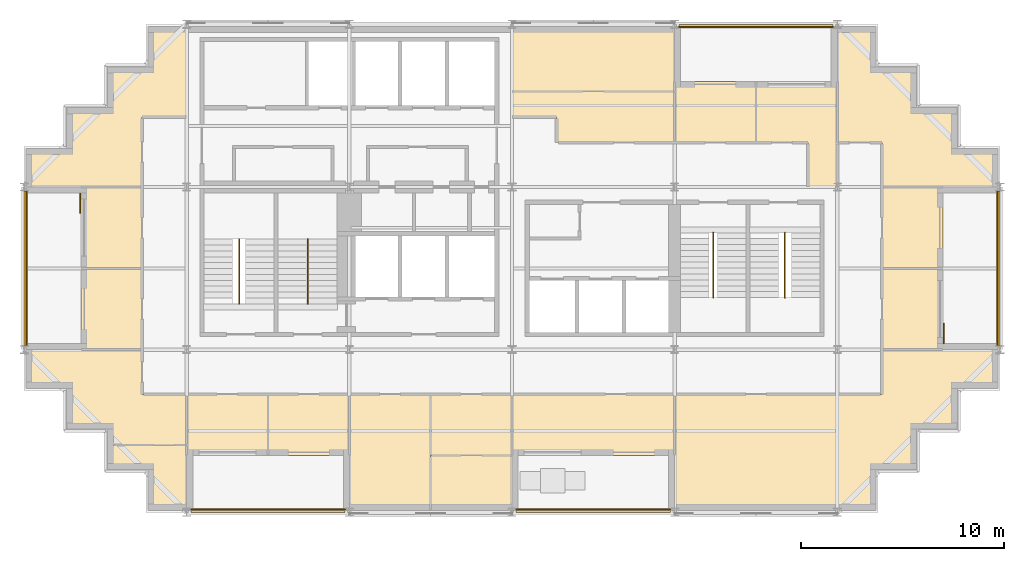
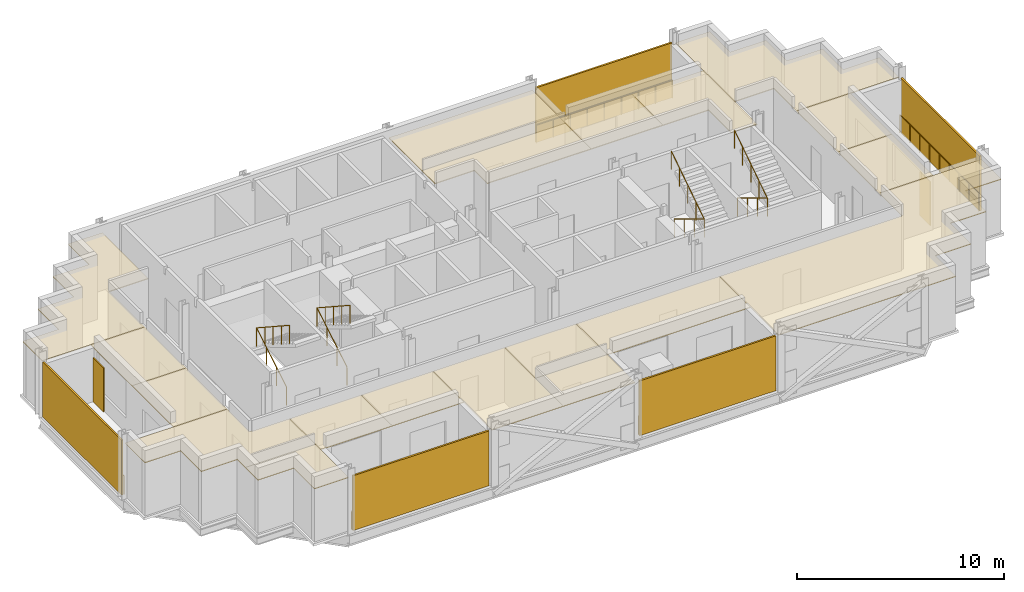
# One storey, part 9 of 10: 19 coverings, 9 railings, 7 shading devices.
"""IFC4 building model written with IfcOpenShell, lengths in metres."""

from ifc_helpers import new_model, si_unit, direction, frame, origin, origin_2d, place, context, subcontext, project, spatial, polyline, rectangle, circle, outline, extrude, material, layer, layer_set, type_object, element, save


model = new_model("IFC4")

# Units and contexts
model_context = context("Model", 3, precision=1e-05, world=origin(), true_north=direction((0.0, 1.0)))
body_context = subcontext(model_context, "Body", "Model", "MODEL_VIEW")
ifc_project = project(units=[si_unit("LENGTHUNIT", "METRE"), si_unit("AREAUNIT", "SQUARE_METRE"), si_unit("VOLUMEUNIT", "CUBIC_METRE"), si_unit("PLANEANGLEUNIT", "RADIAN"), si_unit("MASSUNIT", "GRAM", prefix="KILO")], contexts=[model_context])

# Site, building, storey
site_placement = place(None, origin())
site = spatial("IfcSite", under=ifc_project, at=site_placement, CompositionType="ELEMENT")
building_placement = place(site_placement, origin())
building = spatial("IfcBuilding", under=site, at=building_placement, Name="Immortelle Media Tower", CompositionType="ELEMENT")
storey_placement = place(building_placement, frame((0.0, 0.0, 233.0)))
storey = spatial("IfcBuildingStorey", under=building, at=storey_placement, Name="L50", CompositionType="ELEMENT", Elevation=233.0)

# Railings
ifc_material_1 = material(Name="Powder-coated aluminium fretwork panel, laminated glass backing", Category="aluminium")
railing_type_1 = type_object("IfcRailingType", Name="Fretwork balustrade 1100", PredefinedType="BALUSTRADE", material=ifc_material_1)
railing_1_placement = place(storey_placement, frame((8.199462890625, 0.139892578125, 0.0)))
element("IfcRailing", 1, at=railing_1_placement, inside=storey, type_object=railing_type_1, Name="Fretwork balustrade L50 S0", PredefinedType="BALUSTRADE", context=body_context, shape_type="SweptSolid", body=[
    extrude(circle(Radius=0.02490234375, at=origin_2d()), frame((0.0, 0.0, 1.0751953125), z_axis=(1.0, 0.0, 0.0), x_axis=(0.0, 1.0, 0.0)), (0.0, 0.0, 1.0), 7.59765625),
    extrude(circle(Radius=0.02001953125, at=origin_2d()), origin(), (0.0, 0.0, 1.0), 1.050048828125),
    extrude(circle(Radius=0.02001953125, at=origin_2d()), frame((0.94970703125, 0.0, 0.0)), (0.0, 0.0, 1.0), 1.050048828125),
    extrude(circle(Radius=0.02001953125, at=origin_2d()), frame((1.8994140625, 0.0, 0.0)), (0.0, 0.0, 1.0), 1.050048828125),
    extrude(circle(Radius=0.02001953125, at=origin_2d()), frame((2.84912109375, 0.0, 0.0)), (0.0, 0.0, 1.0), 1.050048828125),
    extrude(circle(Radius=0.02001953125, at=origin_2d()), frame((3.798828125, 0.0, 0.0)), (0.0, 0.0, 1.0), 1.050048828125),
    extrude(circle(Radius=0.02001953125, at=origin_2d()), frame((4.74853515625, 0.0, 0.0)), (0.0, 0.0, 1.0), 1.050048828125),
    extrude(circle(Radius=0.02001953125, at=origin_2d()), frame((5.6982421875, 0.0, 0.0)), (0.0, 0.0, 1.0), 1.050048828125),
    extrude(circle(Radius=0.02001953125, at=origin_2d()), frame((6.64794921875, 0.0, 0.0)), (0.0, 0.0, 1.0), 1.050048828125),
    extrude(circle(Radius=0.02001953125, at=origin_2d()), frame((7.59765625, 0.0, 0.0)), (0.0, 0.0, 1.0), 1.050048828125),
])
railing_2_placement = place(storey_placement, frame((24.202880859375, 0.139892578125, 0.0)))
element("IfcRailing", 2, at=railing_2_placement, inside=storey, type_object=railing_type_1, Name="Fretwork balustrade L50 S2", PredefinedType="BALUSTRADE", context=body_context, shape_type="SweptSolid", body=[
    extrude(circle(Radius=0.02490234375, at=origin_2d()), frame((0.0, 0.0, 1.0751953125), z_axis=(1.0, 0.0, 0.0), x_axis=(0.0, 1.0, 0.0)), (0.0, 0.0, 1.0), 7.59423828125),
    extrude(circle(Radius=0.02001953125, at=origin_2d()), origin(), (0.0, 0.0, 1.0), 1.050048828125),
    extrude(circle(Radius=0.02001953125, at=origin_2d()), frame((0.94921875, 0.0, 0.0)), (0.0, 0.0, 1.0), 1.050048828125),
    extrude(circle(Radius=0.02001953125, at=origin_2d()), frame((1.8984375, 0.0, 0.0)), (0.0, 0.0, 1.0), 1.050048828125),
    extrude(circle(Radius=0.02001953125, at=origin_2d()), frame((2.847900390625, 0.0, 0.0)), (0.0, 0.0, 1.0), 1.050048828125),
    extrude(circle(Radius=0.02001953125, at=origin_2d()), frame((3.797119140625, 0.0, 0.0)), (0.0, 0.0, 1.0), 1.050048828125),
    extrude(circle(Radius=0.02001953125, at=origin_2d()), frame((4.746337890625, 0.0, 0.0)), (0.0, 0.0, 1.0), 1.050048828125),
    extrude(circle(Radius=0.02001953125, at=origin_2d()), frame((5.69580078125, 0.0, 0.0)), (0.0, 0.0, 1.0), 1.050048828125),
    extrude(circle(Radius=0.02001953125, at=origin_2d()), frame((6.64501953125, 0.0, 0.0)), (0.0, 0.0, 1.0), 1.050048828125),
    extrude(circle(Radius=0.02001953125, at=origin_2d()), frame((7.59423828125, 0.0, 0.0)), (0.0, 0.0, 1.0), 1.050048828125),
])
railing_3_placement = place(storey_placement, frame((47.860107421875, 8.193115234375, 0.0)))
element("IfcRailing", 3, at=railing_3_placement, inside=storey, type_object=railing_type_1, Name="Fretwork balustrade L50 E0", PredefinedType="BALUSTRADE", context=body_context, shape_type="SweptSolid", body=[
    extrude(circle(Radius=0.02490234375, at=origin_2d()), frame((0.0, 0.0, 1.0751953125), z_axis=(0.0, 1.0, 0.0), x_axis=(-1.0, 0.0, 0.0)), (0.0, 0.0, 1.0), 7.61376953125),
    extrude(circle(Radius=0.02001953125, at=origin_2d()), origin(), (0.0, 0.0, 1.0), 1.050048828125),
    extrude(circle(Radius=0.02001953125, at=origin_2d()), frame((0.0, 0.95166015625, 0.0)), (0.0, 0.0, 1.0), 1.050048828125),
    extrude(circle(Radius=0.02001953125, at=origin_2d()), frame((0.0, 1.9033203125, 0.0)), (0.0, 0.0, 1.0), 1.050048828125),
    extrude(circle(Radius=0.02001953125, at=origin_2d()), frame((0.0, 2.855224609375, 0.0)), (0.0, 0.0, 1.0), 1.050048828125),
    extrude(circle(Radius=0.02001953125, at=origin_2d()), frame((0.0, 3.806884765625, 0.0)), (0.0, 0.0, 1.0), 1.050048828125),
    extrude(circle(Radius=0.02001953125, at=origin_2d()), frame((0.0, 4.758544921875, 0.0)), (0.0, 0.0, 1.0), 1.050048828125),
    extrude(circle(Radius=0.02001953125, at=origin_2d()), frame((0.0, 5.71044921875, 0.0)), (0.0, 0.0, 1.0), 1.050048828125),
    extrude(circle(Radius=0.02001953125, at=origin_2d()), frame((0.0, 6.662109375, 0.0)), (0.0, 0.0, 1.0), 1.050048828125),
    extrude(circle(Radius=0.02001953125, at=origin_2d()), frame((0.0, 7.61376953125, 0.0)), (0.0, 0.0, 1.0), 1.050048828125),
])
railing_4_placement = place(storey_placement, frame((39.800537109375, 23.860107421875, 0.0)))
element("IfcRailing", 4, at=railing_4_placement, inside=storey, type_object=railing_type_1, Name="Fretwork balustrade L50 N0", PredefinedType="BALUSTRADE", context=body_context, shape_type="SweptSolid", body=[
    extrude(circle(Radius=0.02490234375, at=origin_2d()), frame((0.0, 0.0, 1.0751953125), z_axis=(-1.0, 0.0, 0.0), x_axis=(0.0, -1.0, 0.0)), (0.0, 0.0, 1.0), 7.59765625),
    extrude(circle(Radius=0.02001953125, at=origin_2d()), origin(), (0.0, 0.0, 1.0), 1.050048828125),
    extrude(circle(Radius=0.02001953125, at=origin_2d()), frame((-0.94970703125, 0.0, 0.0)), (0.0, 0.0, 1.0), 1.050048828125),
    extrude(circle(Radius=0.02001953125, at=origin_2d()), frame((-1.8994140625, 0.0, 0.0)), (0.0, 0.0, 1.0), 1.050048828125),
    extrude(circle(Radius=0.02001953125, at=origin_2d()), frame((-2.84912109375, 0.0, 0.0)), (0.0, 0.0, 1.0), 1.050048828125),
    extrude(circle(Radius=0.02001953125, at=origin_2d()), frame((-3.798828125, 0.0, 0.0)), (0.0, 0.0, 1.0), 1.050048828125),
    extrude(circle(Radius=0.02001953125, at=origin_2d()), frame((-4.74853515625, 0.0, 0.0)), (0.0, 0.0, 1.0), 1.050048828125),
    extrude(circle(Radius=0.02001953125, at=origin_2d()), frame((-5.6982421875, 0.0, 0.0)), (0.0, 0.0, 1.0), 1.050048828125),
    extrude(circle(Radius=0.02001953125, at=origin_2d()), frame((-6.64794921875, 0.0, 0.0)), (0.0, 0.0, 1.0), 1.050048828125),
    extrude(circle(Radius=0.02001953125, at=origin_2d()), frame((-7.59765625, 0.0, 0.0)), (0.0, 0.0, 1.0), 1.050048828125),
])
railing_5_placement = place(storey_placement, frame((0.139892578125, 15.806884765625, 0.0)))
element("IfcRailing", 5, at=railing_5_placement, inside=storey, type_object=railing_type_1, Name="Fretwork balustrade L50 W0", PredefinedType="BALUSTRADE", context=body_context, shape_type="SweptSolid", body=[
    extrude(circle(Radius=0.02490234375, at=origin_2d()), frame((0.0, 0.0, 1.0751953125), z_axis=(0.0, -1.0, 0.0), x_axis=(1.0, 0.0, 0.0)), (0.0, 0.0, 1.0), 7.61376953125),
    extrude(circle(Radius=0.02001953125, at=origin_2d()), origin(), (0.0, 0.0, 1.0), 1.050048828125),
    extrude(circle(Radius=0.02001953125, at=origin_2d()), frame((0.0, -0.95166015625, 0.0)), (0.0, 0.0, 1.0), 1.050048828125),
    extrude(circle(Radius=0.02001953125, at=origin_2d()), frame((0.0, -1.9033203125, 0.0)), (0.0, 0.0, 1.0), 1.050048828125),
    extrude(circle(Radius=0.02001953125, at=origin_2d()), frame((0.0, -2.855224609375, 0.0)), (0.0, 0.0, 1.0), 1.050048828125),
    extrude(circle(Radius=0.02001953125, at=origin_2d()), frame((0.0, -3.806884765625, 0.0)), (0.0, 0.0, 1.0), 1.050048828125),
    extrude(circle(Radius=0.02001953125, at=origin_2d()), frame((0.0, -4.758544921875, 0.0)), (0.0, 0.0, 1.0), 1.050048828125),
    extrude(circle(Radius=0.02001953125, at=origin_2d()), frame((0.0, -5.71044921875, 0.0)), (0.0, 0.0, 1.0), 1.050048828125),
    extrude(circle(Radius=0.02001953125, at=origin_2d()), frame((0.0, -6.662109375, 0.0)), (0.0, 0.0, 1.0), 1.050048828125),
    extrude(circle(Radius=0.02001953125, at=origin_2d()), frame((0.0, -7.61376953125, 0.0)), (0.0, 0.0, 1.0), 1.050048828125),
])

# Shading devices
ifc_material_2 = material(Name="Pale aluminium louvre blades", Category="aluminium")
ifc_layer_1 = layer(ifc_material_2, 0.10009765625)
ifc_layer_set_1 = layer_set([ifc_layer_1], Name="Pale aluminium louvre blades")
shading_device_type_1 = type_object("IfcShadingDeviceType", Name="Jalousie screen 100", PredefinedType="JALOUSIE", material=ifc_layer_set_1)
shading_device_1_placement = place(storey_placement, frame((11.998291015625, 0.050048828125, 0.0), z_axis=(0.0, 0.0, 1.0), x_axis=(1.0, 0.0, 0.0)))
element("IfcShadingDevice", 6, at=shading_device_1_placement, inside=storey, type_object=shading_device_type_1, Name="Jalousie screen L50 S0", PredefinedType="JALOUSIE", context=body_context, shape_type="SweptSolid", body=[
    extrude(rectangle(XDim=7.597412109375, YDim=0.10009765625, at=origin_2d()), origin(), (0.0, 0.0, 1.0), 3.238037109375),
])
shading_device_2_placement = place(storey_placement, frame((28.0, 0.050048828125, 0.0), z_axis=(0.0, 0.0, 1.0), x_axis=(1.0, 0.0, 0.0)))
element("IfcShadingDevice", 7, at=shading_device_2_placement, inside=storey, type_object=shading_device_type_1, Name="Jalousie screen L50 S2", PredefinedType="JALOUSIE", context=body_context, shape_type="SweptSolid", body=[
    extrude(rectangle(XDim=7.593994140625, YDim=0.10009765625, at=origin_2d()), origin(), (0.0, 0.0, 1.0), 3.238037109375),
])
shading_device_3_placement = place(storey_placement, frame((47.949951171875, 12.0, 0.0), z_axis=(0.0, 0.0, 1.0), x_axis=(0.0, 1.0, 0.0)))
element("IfcShadingDevice", 8, at=shading_device_3_placement, inside=storey, type_object=shading_device_type_1, Name="Jalousie screen L50 E0", PredefinedType="JALOUSIE", context=body_context, shape_type="SweptSolid", body=[
    extrude(rectangle(XDim=7.614013671875, YDim=0.10009765625, at=origin_2d()), origin(), (0.0, 0.0, 1.0), 3.238037109375),
])
shading_device_4_placement = place(storey_placement, frame((36.001708984375, 23.949951171875, 0.0), z_axis=(0.0, 0.0, 1.0), x_axis=(-1.0, 0.0, 0.0)))
element("IfcShadingDevice", 9, at=shading_device_4_placement, inside=storey, type_object=shading_device_type_1, Name="Jalousie screen L50 N0", PredefinedType="JALOUSIE", context=body_context, shape_type="SweptSolid", body=[
    extrude(rectangle(XDim=7.597412109375, YDim=0.10009765625, at=origin_2d()), origin(), (0.0, 0.0, 1.0), 3.238037109375),
])
shading_device_5_placement = place(storey_placement, frame((0.050048828125, 12.0, 0.0), z_axis=(0.0, 0.0, 1.0), x_axis=(0.0, -1.0, 0.0)))
element("IfcShadingDevice", 10, at=shading_device_5_placement, inside=storey, type_object=shading_device_type_1, Name="Jalousie screen L50 W0", PredefinedType="JALOUSIE", context=body_context, shape_type="SweptSolid", body=[
    extrude(rectangle(XDim=7.614013671875, YDim=0.10009765625, at=origin_2d()), origin(), (0.0, 0.0, 1.0), 3.238037109375),
])
ifc_material_3 = material(Name="Pale aluminium louvre blades in a folding frame", Category="aluminium")
ifc_layer_2 = layer(ifc_material_3, 0.050048828125)
ifc_layer_set_2 = layer_set([ifc_layer_2], Name="Pale aluminium louvre blades in a folding frame")
shading_device_type_2 = type_object("IfcShadingDeviceType", Name="Louvred loggia shutter", PredefinedType="SHUTTER", material=ifc_layer_set_2)
for number, where, z_axis, x_axis, name in (
    (11, (45.22509765625, 8.800048828125, 0.0), (0.0, 0.0, 1.0), (0.0, 1.0, 0.0), "Loggia shutter L50 E0"),
    (12, (2.77490234375, 15.199951171875, 0.0), (0.0, 0.0, 1.0), (0.0, -1.0, 0.0), "Loggia shutter L50 W0"),
):
    element("IfcShadingDevice", number, at=place(storey_placement, frame(where, z_axis=z_axis, x_axis=x_axis)), inside=storey, type_object=shading_device_type_2, Name=name, PredefinedType="SHUTTER", context=body_context, shape_type="SweptSolid", body=[
        extrude(rectangle(XDim=1.0, YDim=0.050048828125, at=origin_2d()), origin(), (0.0, 0.0, 1.0), 2.60009765625),
    ])

# Railings
ifc_material_4 = material(Name="Stainless steel AISI 316", Category="steel")
railing_type_2 = type_object("IfcRailingType", Name="Stair guard 1100", PredefinedType="GUARDRAIL", material=ifc_material_4)
for number, where, name in (
    (13, (10.574951171875, 10.5400390625, 0.173828125), "Stair guard SW1"),
    (14, (13.949951171875, 10.5400390625, 0.173828125), "Stair guard SW2"),
):
    element("IfcRailing", number, at=place(storey_placement, frame(where)), inside=storey, type_object=railing_type_2, Name=name, PredefinedType="GUARDRAIL", context=body_context, shape_type="SweptSolid", body=[
        extrude(circle(Radius=0.02392578125, at=origin_2d()), frame((0.0, 0.0, 1.076171875), z_axis=(0.0, 0.857582100076, 0.514347102285), x_axis=(-1.0, 0.0, 0.0)), (0.0, 0.0, 1.0), 3.381591796875),
        extrude(circle(Radius=0.02392578125, at=origin_2d()), frame((0.0, 2.89990234375, 2.8154296875), z_axis=(0.0, -0.836827423118, 0.547466769693), x_axis=(1.0, 0.0, 0.0)), (0.0, 0.0, 1.0), 3.81201171875),
        extrude(circle(Radius=0.02099609375, at=origin_2d()), origin(), (0.0, 0.0, 1.0), 1.052001953125),
        extrude(circle(Radius=0.02099609375, at=origin_2d()), frame((0.0, 0.966552734375, 0.579833984375)), (0.0, 0.0, 1.0), 1.052001953125),
        extrude(circle(Radius=0.02099609375, at=origin_2d()), frame((0.0, 1.933349609375, 1.159423828125)), (0.0, 0.0, 1.0), 1.052001953125),
        extrude(circle(Radius=0.02099609375, at=origin_2d()), frame((0.0, 2.89990234375, 1.7392578125)), (0.0, 0.0, 1.0), 1.052001953125),
        extrude(circle(Radius=0.02099609375, at=origin_2d()), frame((0.0, 2.1025390625, 2.260986328125)), (0.0, 0.0, 1.0), 1.052001953125),
        extrude(circle(Radius=0.02099609375, at=origin_2d()), frame((0.0, 1.304931640625, 2.78271484375)), (0.0, 0.0, 1.0), 1.052001953125),
        extrude(circle(Radius=0.02099609375, at=origin_2d()), frame((0.0, 0.50732421875, 3.304443359375)), (0.0, 0.0, 1.0), 1.052001953125),
        extrude(circle(Radius=0.02099609375, at=origin_2d()), frame((0.0, -0.2900390625, 3.826171875)), (0.0, 0.0, 1.0), 1.052001953125),
    ])
for number, where, name in (
    (15, (33.89990234375, 13.4599609375, 0.173828125), "Stair guard SE1"),
    (16, (37.425048828125, 13.4599609375, 0.173828125), "Stair guard SE2"),
):
    element("IfcRailing", number, at=place(storey_placement, frame(where)), inside=storey, type_object=railing_type_2, Name=name, PredefinedType="GUARDRAIL", context=body_context, shape_type="SweptSolid", body=[
        extrude(circle(Radius=0.02392578125, at=origin_2d()), frame((0.0, 0.0, 1.076171875), z_axis=(0.0, -0.857582100076, 0.514347102285), x_axis=(1.0, 0.0, 0.0)), (0.0, 0.0, 1.0), 3.381591796875),
        extrude(circle(Radius=0.02392578125, at=origin_2d()), frame((0.0, -2.89990234375, 2.8154296875), z_axis=(0.0, 0.836827423118, 0.547466769693), x_axis=(-1.0, 0.0, 0.0)), (0.0, 0.0, 1.0), 3.81201171875),
        extrude(circle(Radius=0.02099609375, at=origin_2d()), origin(), (0.0, 0.0, 1.0), 1.052001953125),
        extrude(circle(Radius=0.02099609375, at=origin_2d()), frame((0.0, -0.966552734375, 0.579833984375)), (0.0, 0.0, 1.0), 1.052001953125),
        extrude(circle(Radius=0.02099609375, at=origin_2d()), frame((0.0, -1.933349609375, 1.159423828125)), (0.0, 0.0, 1.0), 1.052001953125),
        extrude(circle(Radius=0.02099609375, at=origin_2d()), frame((0.0, -2.89990234375, 1.7392578125)), (0.0, 0.0, 1.0), 1.052001953125),
        extrude(circle(Radius=0.02099609375, at=origin_2d()), frame((0.0, -2.1025390625, 2.260986328125)), (0.0, 0.0, 1.0), 1.052001953125),
        extrude(circle(Radius=0.02099609375, at=origin_2d()), frame((0.0, -1.304931640625, 2.78271484375)), (0.0, 0.0, 1.0), 1.052001953125),
        extrude(circle(Radius=0.02099609375, at=origin_2d()), frame((0.0, -0.50732421875, 3.304443359375)), (0.0, 0.0, 1.0), 1.052001953125),
        extrude(circle(Radius=0.02099609375, at=origin_2d()), frame((0.0, 0.2900390625, 3.826171875)), (0.0, 0.0, 1.0), 1.052001953125),
    ])

# Coverings
ifc_material_5 = material(Name="Mineral fibre tile ceiling")
ifc_layer_3 = layer(ifc_material_5, 0.050048828125)
ifc_layer_set_3 = layer_set([ifc_layer_3], Name="Mineral fibre tile ceiling")
covering_type = type_object("IfcCoveringType", Name="Suspended ceiling 50", PredefinedType="CEILING", material=ifc_layer_set_3)
covering_1_placement = place(storey_placement, frame((0.0, 0.0, 3.1220703125)))
element("IfcCovering", 17, at=covering_1_placement, inside=storey, type_object=covering_type, Name="Ceiling L50-001", PredefinedType="CEILING", context=body_context, shape_type="SweptSolid", body=[
    extrude(outline(polyline([(16.0, 2.800048828125), (16.0, 5.800048828125), (20.0, 5.800048828125), (20.0, 0.10009765625), (16.0, 0.10009765625), (16.0, 2.800048828125)])), origin(), (0.0, 0.0, 1.0), 0.050048828125),
])
covering_2_placement = place(storey_placement, frame((0.0, 0.0, 3.1220703125)))
element("IfcCovering", 18, at=covering_2_placement, inside=storey, type_object=covering_type, Name="Ceiling L50-002", PredefinedType="CEILING", context=body_context, shape_type="SweptSolid", body=[
    extrude(outline(polyline([(24.0, 2.800048828125), (20.0, 2.800048828125), (20.0, 5.800048828125), (24.0, 5.800048828125), (24.0, 2.800048828125)])), origin(), (0.0, 0.0, 1.0), 0.050048828125),
])
covering_3_placement = place(storey_placement, frame((0.0, 0.0, 3.1220703125)))
element("IfcCovering", 19, at=covering_3_placement, inside=storey, type_object=covering_type, Name="Ceiling L50-003", PredefinedType="CEILING", context=body_context, shape_type="SweptSolid", body=[
    extrude(outline(polyline([(24.0, 0.10009765625), (20.0, 0.10009765625), (20.0, 2.800048828125), (24.0, 2.800048828125), (24.0, 0.10009765625)])), origin(), (0.0, 0.0, 1.0), 0.050048828125),
])
covering_4_placement = place(storey_placement, frame((0.0, 0.0, 3.1220703125)))
element("IfcCovering", 20, at=covering_4_placement, inside=storey, type_object=covering_type, Name="Ceiling L50-004", PredefinedType="CEILING", context=body_context, shape_type="SweptSolid", body=[
    extrude(outline(polyline([(32.0, 2.800048828125), (32.0, 5.800048828125), (40.0, 5.800048828125), (42.199951171875, 5.800048828125), (42.199951171875, 8.0), (45.199951171875, 8.0), (47.89990234375, 8.0), (47.89990234375, 6.10009765625), (45.89990234375, 6.10009765625), (45.89990234375, 4.10009765625), (43.89990234375, 4.10009765625), (43.89990234375, 2.10009765625), (41.89990234375, 2.10009765625), (41.89990234375, 0.10009765625), (40.0, 0.10009765625), (32.0, 0.10009765625), (32.0, 2.800048828125)])), origin(), (0.0, 0.0, 1.0), 0.050048828125),
])
covering_5_placement = place(storey_placement, frame((0.0, 0.0, 3.1220703125)))
element("IfcCovering", 21, at=covering_5_placement, inside=storey, type_object=covering_type, Name="Ceiling L50-005", PredefinedType="CEILING", context=body_context, shape_type="SweptSolid", body=[
    extrude(outline(polyline([(8.0, 5.800048828125), (12.0, 5.800048828125), (12.0, 2.800048828125), (8.0, 2.800048828125), (8.0, 5.800048828125)])), origin(), (0.0, 0.0, 1.0), 0.050048828125),
])
covering_6_placement = place(storey_placement, frame((0.0, 0.0, 3.1220703125)))
element("IfcCovering", 22, at=covering_6_placement, inside=storey, type_object=covering_type, Name="Ceiling L50-006", PredefinedType="CEILING", context=body_context, shape_type="SweptSolid", body=[
    extrude(outline(polyline([(16.0, 5.800048828125), (16.0, 2.800048828125), (12.0, 2.800048828125), (12.0, 5.800048828125), (16.0, 5.800048828125)])), origin(), (0.0, 0.0, 1.0), 0.050048828125),
])
covering_7_placement = place(storey_placement, frame((0.0, 0.0, 3.1220703125)))
element("IfcCovering", 23, at=covering_7_placement, inside=storey, type_object=covering_type, Name="Ceiling L50-007", PredefinedType="CEILING", context=body_context, shape_type="SweptSolid", body=[
    extrude(outline(polyline([(24.0, 2.800048828125), (24.0, 5.800048828125), (26.199951171875, 5.800048828125), (32.0, 5.800048828125), (32.0, 2.800048828125), (24.0, 2.800048828125)])), origin(), (0.0, 0.0, 1.0), 0.050048828125),
])
covering_8_placement = place(storey_placement, frame((0.0, 0.0, 3.1220703125)))
element("IfcCovering", 24, at=covering_8_placement, inside=storey, type_object=covering_type, Name="Ceiling L50-008", PredefinedType="CEILING", context=body_context, shape_type="SweptSolid", body=[
    extrude(outline(polyline([(4.10009765625, 4.10009765625), (4.0, 4.10009765625), (2.10009765625, 4.10009765625), (2.10009765625, 6.10009765625), (0.10009765625, 6.10009765625), (0.10009765625, 8.0), (2.800048828125, 8.0), (4.0, 8.0), (5.800048828125, 8.0), (5.800048828125, 5.800048828125), (8.0, 5.800048828125), (8.0, 3.300048828125), (4.10009765625, 3.300048828125), (4.10009765625, 4.10009765625)])), origin(), (0.0, 0.0, 1.0), 0.050048828125),
])
covering_9_placement = place(storey_placement, frame((0.0, 0.0, 3.1220703125)))
element("IfcCovering", 25, at=covering_9_placement, inside=storey, type_object=covering_type, Name="Ceiling L50-009", PredefinedType="CEILING", context=body_context, shape_type="SweptSolid", body=[
    extrude(outline(polyline([(4.10009765625, 3.300048828125), (8.0, 3.300048828125), (8.0, 2.800048828125), (8.0, 0.10009765625), (6.10009765625, 0.10009765625), (6.10009765625, 2.10009765625), (4.10009765625, 2.10009765625), (4.10009765625, 3.300048828125)])), origin(), (0.0, 0.0, 1.0), 0.050048828125),
])
covering_10_placement = place(storey_placement, frame((0.0, 0.0, 3.1220703125)))
element("IfcCovering", 26, at=covering_10_placement, inside=storey, type_object=covering_type, Name="Ceiling L50-010", PredefinedType="CEILING", context=body_context, shape_type="SweptSolid", body=[
    extrude(outline(polyline([(2.800048828125, 8.0), (2.800048828125, 12.0), (5.800048828125, 12.0), (5.800048828125, 8.0), (2.800048828125, 8.0)])), origin(), (0.0, 0.0, 1.0), 0.050048828125),
])
covering_11_placement = place(storey_placement, frame((0.0, 0.0, 3.1220703125)))
element("IfcCovering", 27, at=covering_11_placement, inside=storey, type_object=covering_type, Name="Ceiling L50-011", PredefinedType="CEILING", context=body_context, shape_type="SweptSolid", body=[
    extrude(outline(polyline([(2.800048828125, 16.0), (5.800048828125, 16.0), (5.800048828125, 12.0), (2.800048828125, 12.0), (2.800048828125, 16.0)])), origin(), (0.0, 0.0, 1.0), 0.050048828125),
])
covering_12_placement = place(storey_placement, frame((0.0, 0.0, 3.1220703125)))
element("IfcCovering", 28, at=covering_12_placement, inside=storey, type_object=covering_type, Name="Ceiling L50-012", PredefinedType="CEILING", context=body_context, shape_type="SweptSolid", body=[
    extrude(outline(polyline([(42.199951171875, 8.0), (42.199951171875, 12.0), (45.199951171875, 12.0), (45.199951171875, 8.0), (42.199951171875, 8.0)])), origin(), (0.0, 0.0, 1.0), 0.050048828125),
])
covering_13_placement = place(storey_placement, frame((0.0, 0.0, 3.1220703125)))
element("IfcCovering", 29, at=covering_13_placement, inside=storey, type_object=covering_type, Name="Ceiling L50-013", PredefinedType="CEILING", context=body_context, shape_type="SweptSolid", body=[
    extrude(outline(polyline([(42.199951171875, 16.0), (45.199951171875, 16.0), (45.199951171875, 12.0), (42.199951171875, 12.0), (42.199951171875, 16.0)])), origin(), (0.0, 0.0, 1.0), 0.050048828125),
])
covering_14_placement = place(storey_placement, frame((0.0, 0.0, 3.1220703125)))
element("IfcCovering", 30, at=covering_14_placement, inside=storey, type_object=covering_type, Name="Ceiling L50-014", PredefinedType="CEILING", context=body_context, shape_type="SweptSolid", body=[
    extrude(outline(polyline([(2.800048828125, 16.0), (0.10009765625, 16.0), (0.10009765625, 17.89990234375), (2.10009765625, 17.89990234375), (2.10009765625, 19.89990234375), (4.10009765625, 19.89990234375), (4.10009765625, 20.0), (4.10009765625, 21.89990234375), (6.10009765625, 21.89990234375), (6.10009765625, 23.89990234375), (8.0, 23.89990234375), (8.0, 20.0), (8.0, 19.449951171875), (5.800048828125, 19.449951171875), (5.800048828125, 16.0), (2.800048828125, 16.0)])), origin(), (0.0, 0.0, 1.0), 0.050048828125),
])
covering_15_placement = place(storey_placement, frame((0.0, 0.0, 3.1220703125)))
element("IfcCovering", 31, at=covering_15_placement, inside=storey, type_object=covering_type, Name="Ceiling L50-015", PredefinedType="CEILING", context=body_context, shape_type="SweptSolid", body=[
    extrude(outline(polyline([(45.89990234375, 19.89990234375), (45.89990234375, 17.89990234375), (47.89990234375, 17.89990234375), (47.89990234375, 16.0), (45.199951171875, 16.0), (44.0, 16.0), (42.199951171875, 16.0), (42.199951171875, 18.199951171875), (40.0, 18.199951171875), (40.0, 21.199951171875), (40.0, 23.89990234375), (41.89990234375, 23.89990234375), (41.89990234375, 21.89990234375), (43.89990234375, 21.89990234375), (43.89990234375, 19.89990234375), (44.0, 19.89990234375), (45.89990234375, 19.89990234375)])), origin(), (0.0, 0.0, 1.0), 0.050048828125),
])
covering_16_placement = place(storey_placement, frame((0.0, 0.0, 3.1220703125)))
element("IfcCovering", 32, at=covering_16_placement, inside=storey, type_object=covering_type, Name="Ceiling L50-016", PredefinedType="CEILING", context=body_context, shape_type="SweptSolid", body=[
    extrude(outline(polyline([(32.0, 18.199951171875), (32.0, 21.199951171875), (36.0, 21.199951171875), (36.0, 18.199951171875), (32.0, 18.199951171875)])), origin(), (0.0, 0.0, 1.0), 0.050048828125),
])
covering_17_placement = place(storey_placement, frame((0.0, 0.0, 3.1220703125)))
element("IfcCovering", 33, at=covering_17_placement, inside=storey, type_object=covering_type, Name="Ceiling L50-017", PredefinedType="CEILING", context=body_context, shape_type="SweptSolid", body=[
    extrude(outline(polyline([(38.550048828125, 18.199951171875), (36.0, 18.199951171875), (36.0, 21.199951171875), (40.0, 21.199951171875), (40.0, 18.199951171875), (40.0, 16.0), (38.550048828125, 16.0), (38.550048828125, 18.199951171875)])), origin(), (0.0, 0.0, 1.0), 0.050048828125),
])
covering_18_placement = place(storey_placement, frame((0.0, 0.0, 3.1220703125)))
element("IfcCovering", 34, at=covering_18_placement, inside=storey, type_object=covering_type, Name="Ceiling L50-018", PredefinedType="CEILING", context=body_context, shape_type="SweptSolid", body=[
    extrude(outline(polyline([(26.199951171875, 18.199951171875), (26.199951171875, 19.449951171875), (24.0, 19.449951171875), (24.0, 20.699951171875), (32.0, 20.699951171875), (32.0, 18.199951171875), (27.0, 18.199951171875), (26.199951171875, 18.199951171875)])), origin(), (0.0, 0.0, 1.0), 0.050048828125),
])
covering_19_placement = place(storey_placement, frame((0.0, 0.0, 3.1220703125)))
element("IfcCovering", 35, at=covering_19_placement, inside=storey, type_object=covering_type, Name="Ceiling L50-019", PredefinedType="CEILING", context=body_context, shape_type="SweptSolid", body=[
    extrude(outline(polyline([(24.0, 21.199951171875), (24.0, 23.89990234375), (32.0, 23.89990234375), (32.0, 21.199951171875), (32.0, 20.699951171875), (24.0, 20.699951171875), (24.0, 21.199951171875)])), origin(), (0.0, 0.0, 1.0), 0.050048828125),
])

save(model, "model.ifc")
